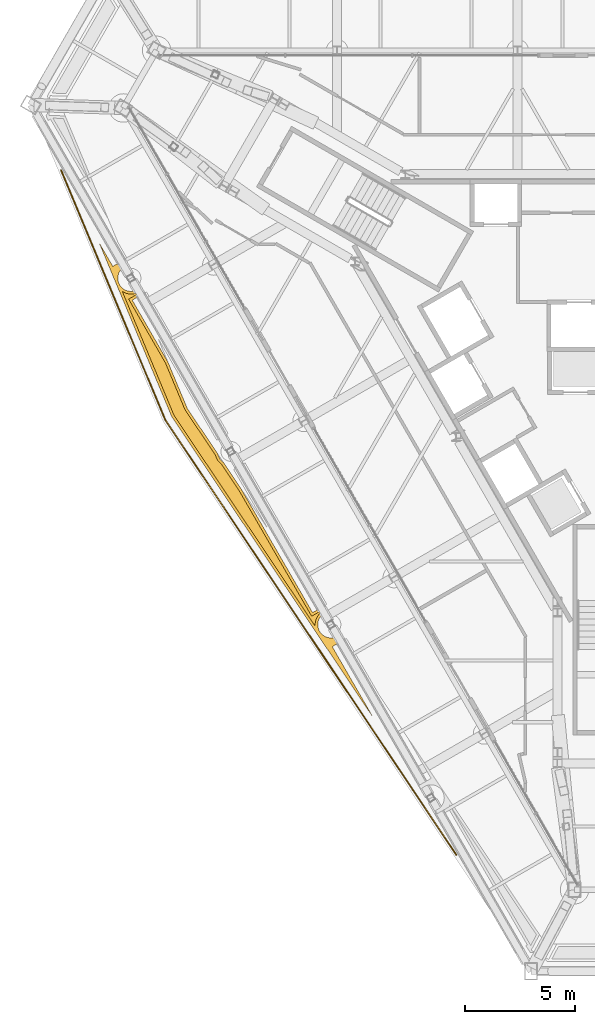
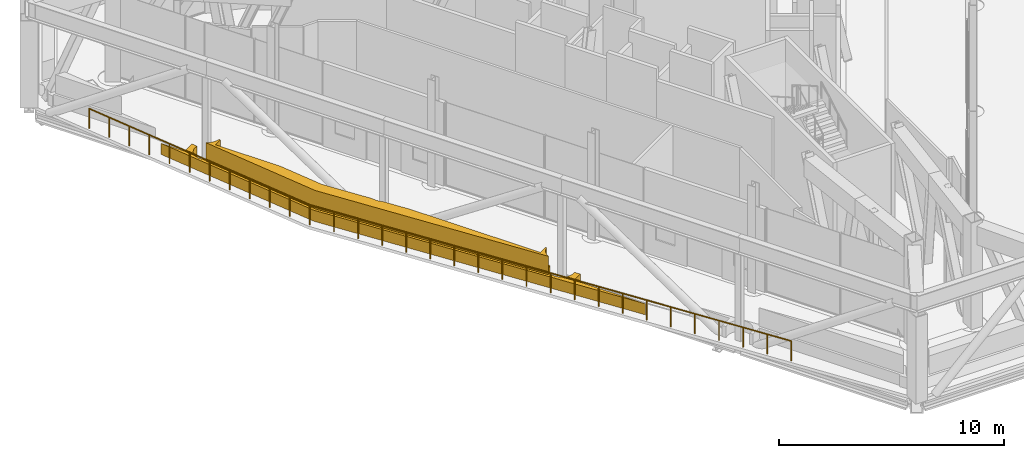
# One storey, part 20 of 25: 2 coverings, 1 railing.
"""IFC4 building model written with IfcOpenShell, lengths in metres."""

from ifc_helpers import new_model, si_unit, direction, frame, origin, origin_2d, place, context, subcontext, project, spatial, polyline, circle, outline, extrude, material, type_object, element, save


model = new_model("IFC4")

# Units and contexts
model_context = context("Model", 3, precision=1e-05, world=origin(), true_north=direction((0.0, 1.0)))
body_context = subcontext(model_context, "Body", "Model", "MODEL_VIEW")
ifc_project = project(units=[si_unit("LENGTHUNIT", "METRE"), si_unit("AREAUNIT", "SQUARE_METRE"), si_unit("VOLUMEUNIT", "CUBIC_METRE"), si_unit("PLANEANGLEUNIT", "RADIAN"), si_unit("MASSUNIT", "GRAM", prefix="KILO")], contexts=[model_context])

# Site, building, storey
site_placement = place(None, origin())
site = spatial("IfcSite", under=ifc_project, at=site_placement, CompositionType="ELEMENT")
building_placement = place(site_placement, origin())
building = spatial("IfcBuilding", under=site, at=building_placement, Name="Verrane Prism Tower", CompositionType="ELEMENT")
storey_placement = place(building_placement, frame((0.0, 0.0, 258.199951171875)))
storey = spatial("IfcBuildingStorey", under=building, at=storey_placement, Name="L65", CompositionType="ELEMENT", Elevation=258.199951171875)

# Coverings
ifc_material_1 = material(Name="Planting medium in stone kerb", Category="masonry")
covering_type_1 = type_object("IfcCoveringType", Name="Planter bed 600", PredefinedType="USERDEFINED", material=ifc_material_1)
covering_1_placement = place(storey_placement, origin())
element("IfcCovering", 1, at=covering_1_placement, inside=storey, type_object=covering_type_1, Name="Planter bed L65 9", ObjectType="PLANTER", PredefinedType="USERDEFINED", context=body_context, shape_type="SweptSolid", body=[
    extrude(outline(polyline([(-10.7548828125, -16.7490234375), (-10.747802734375, -16.74462890625), (-12.580810546875, -13.572265625), (-12.103271484375, -13.29638671875), (-12.271240234375, -13.04541015625), (-12.305419921875, -13.07080078125), (-12.35595703125, -13.101318359375), (-12.409423828125, -13.12646484375), (-12.465087890625, -13.146484375), (-12.5224609375, -13.160888671875), (-12.5810546875, -13.16943359375), (-12.639892578125, -13.17236328125), (-12.698974609375, -13.16943359375), (-12.757568359375, -13.160888671875), (-12.81494140625, -13.146484375), (-12.87060546875, -13.12646484375), (-12.924072265625, -13.101318359375), (-12.974609375, -13.07080078125), (-13.022216796875, -13.03564453125), (-13.06591796875, -12.99609375), (-13.105712890625, -12.9521484375), (-13.140869140625, -12.90478515625), (-13.17138671875, -12.85400390625), (-13.196533203125, -12.800537109375), (-13.216552734375, -12.744873046875), (-13.230712890625, -12.6875), (-13.239501953125, -12.62890625), (-13.242431640625, -12.570068359375), (-13.239501953125, -12.510986328125), (-13.230712890625, -12.452392578125), (-13.216552734375, -12.39501953125), (-13.196533203125, -12.339599609375), (-13.17138671875, -12.285888671875), (-13.140869140625, -12.2353515625), (-13.105712890625, -12.187744140625), (-13.06591796875, -12.14404296875), (-13.022216796875, -12.104248046875), (-12.974609375, -12.069091796875), (-12.93896484375, -12.0478515625), (-13.103759765625, -11.801513671875), (-13.478515625, -12.01806640625), (-16.7568359375, -6.34375), (-17.552490234375, -5.155029296875), (-17.59228515625, -5.125732421875), (-17.635986328125, -5.0859375), (-17.67578125, -5.042236328125), (-17.7109375, -4.99462890625), (-17.7412109375, -4.944091796875), (-17.7666015625, -4.890380859375), (-17.78662109375, -4.8349609375), (-17.798095703125, -4.7880859375), (-19.200927734375, -2.692138671875), (-20.086669921875, -0.57080078125), (-21.7119140625, 2.248046875), (-21.3505859375, 2.456298828125), (-21.46533203125, 2.731201171875), (-21.486083984375, 2.71875), (-21.53955078125, 2.693603515625), (-21.59521484375, 2.673583984375), (-21.652587890625, 2.6591796875), (-21.7109375, 2.650390625), (-21.77001953125, 2.647705078125), (-21.8291015625, 2.650390625), (-21.887451171875, 2.6591796875), (-21.94482421875, 2.673583984375), (-22.00048828125, 2.693603515625), (-22.053955078125, 2.71875), (-22.104736328125, 2.7490234375), (-22.152099609375, 2.7841796875), (-22.196044921875, 2.823974609375), (-22.235595703125, 2.867919921875), (-22.27099609375, 2.915283203125), (-22.30126953125, 2.966064453125), (-22.326416015625, 3.01953125), (-22.346435546875, 3.0751953125), (-22.36083984375, 3.132568359375), (-22.369384765625, 3.19091796875), (-22.372314453125, 3.25), (-22.369384765625, 3.30908203125), (-22.36083984375, 3.367431640625), (-22.346435546875, 3.4248046875), (-22.326416015625, 3.48046875), (-22.30126953125, 3.533935546875), (-22.27099609375, 3.584716796875), (-22.235595703125, 3.632080078125), (-22.196044921875, 3.676025390625), (-22.152099609375, 3.7158203125), (-22.104736328125, 3.7509765625), (-22.053955078125, 3.78125), (-22.00048828125, 3.806396484375), (-21.94482421875, 3.826416015625), (-21.9248046875, 3.83154296875), (-22.041748046875, 4.111572265625), (-22.600830078125, 3.78857421875), (-23.197998046875, 4.822021484375), (-23.2041015625, 4.81884765625), (-19.9091796875, -3.072265625), (-10.7548828125, -16.7490234375)])), origin(), (0.0, 0.0, 1.0), 0.60009765625),
])
ifc_material_2 = material(Name="Planted shrubs and grasses", Category="other")
covering_type_2 = type_object("IfcCoveringType", Name="Planting mass 1000", PredefinedType="USERDEFINED", material=ifc_material_2)
covering_2_placement = place(storey_placement, frame((0.0, 0.0, 0.60009765625)))
element("IfcCovering", 2, at=covering_2_placement, inside=storey, type_object=covering_type_2, Name="Planting L65 9", ObjectType="PLANTING", PredefinedType="USERDEFINED", context=body_context, shape_type="SweptSolid", body=[
    extrude(outline(polyline([(-19.802978515625, -3.015380859375), (-13.358642578125, -12.643310546875), (-13.359130859375, -12.640869140625), (-13.362548828125, -12.570068359375), (-13.359130859375, -12.499267578125), (-13.3486328125, -12.428955078125), (-13.331298828125, -12.3603515625), (-13.3076171875, -12.29345703125), (-13.277099609375, -12.2294921875), (-13.24072265625, -12.168701171875), (-13.198486328125, -12.111572265625), (-13.15087890625, -12.05908203125), (-13.104248046875, -12.0166015625), (-13.14111328125, -11.961669921875), (-13.5224609375, -12.181884765625), (-16.85888671875, -6.4072265625), (-17.640625, -5.239013671875), (-17.66845703125, -5.218505859375), (-17.720947265625, -5.1708984375), (-17.7685546875, -5.118408203125), (-17.810791015625, -5.061279296875), (-17.84716796875, -5.00048828125), (-17.87744140625, -4.9365234375), (-17.9013671875, -4.86962890625), (-17.909423828125, -4.83740234375), (-19.307373046875, -2.749267578125), (-20.194580078125, -0.6240234375), (-21.875732421875, 2.2919921875), (-21.501953125, 2.507568359375), (-21.528076171875, 2.570068359375), (-21.560302734375, 2.55859375), (-21.62890625, 2.541259765625), (-21.69921875, 2.531005859375), (-21.77001953125, 2.527587890625), (-21.8408203125, 2.531005859375), (-21.910888671875, 2.541259765625), (-21.979736328125, 2.55859375), (-22.04638671875, 2.58251953125), (-22.110595703125, 2.61279296875), (-22.1669921875, 2.646484375), (-19.802978515625, -3.015380859375)])), origin(), (0.0, 0.0, 1.0), 1.0),
])

# Railing
ifc_material_3 = material(Name="Stainless steel and laminated glass", Category="steel")
railing_type = type_object("IfcRailingType", Name="Terrace guard 1100", PredefinedType="GUARDRAIL", material=ifc_material_3)
railing_placement = place(storey_placement, frame((-24.965087890625, 8.180908203125, 0.0)))
element("IfcRailing", 3, at=railing_placement, inside=storey, type_object=railing_type, Name="Terrace guard L65 2", PredefinedType="GUARDRAIL", context=body_context, shape_type="SweptSolid", body=[
    extrude(circle(Radius=0.02392578125, at=origin_2d()), frame((0.0, 0.0, 1.076171875), z_axis=(0.385265824932, -0.92280563725, 0.0), x_axis=(0.92280563725, 0.385265824932, 0.0)), (0.0, 0.0, 1.0), 12.36474609375),
    extrude(circle(Radius=0.02392578125, at=origin_2d()), frame((4.763671875, -11.41015625, 1.076171875), z_axis=(0.556239251929, -0.831022198628, 0.0), x_axis=(0.831022198628, 0.556239251929, 0.0)), (0.0, 0.0, 1.0), 23.8896484375),
    extrude(circle(Radius=0.02099609375, at=origin_2d()), origin(), (0.0, 0.0, 1.0), 1.052001953125),
    extrude(circle(Radius=0.02099609375, at=origin_2d()), frame((0.43310546875, -1.037353515625, 0.0)), (0.0, 0.0, 1.0), 1.052001953125),
    extrude(circle(Radius=0.02099609375, at=origin_2d()), frame((0.8662109375, -2.074462890625, 0.0)), (0.0, 0.0, 1.0), 1.052001953125),
    extrude(circle(Radius=0.02099609375, at=origin_2d()), frame((1.299072265625, -3.11181640625, 0.0)), (0.0, 0.0, 1.0), 1.052001953125),
    extrude(circle(Radius=0.02099609375, at=origin_2d()), frame((1.732177734375, -4.149169921875, 0.0)), (0.0, 0.0, 1.0), 1.052001953125),
    extrude(circle(Radius=0.02099609375, at=origin_2d()), frame((2.165283203125, -5.1865234375, 0.0)), (0.0, 0.0, 1.0), 1.052001953125),
    extrude(circle(Radius=0.02099609375, at=origin_2d()), frame((2.598388671875, -6.2236328125, 0.0)), (0.0, 0.0, 1.0), 1.052001953125),
    extrude(circle(Radius=0.02099609375, at=origin_2d()), frame((3.031494140625, -7.260986328125, 0.0)), (0.0, 0.0, 1.0), 1.052001953125),
    extrude(circle(Radius=0.02099609375, at=origin_2d()), frame((3.464599609375, -8.29833984375, 0.0)), (0.0, 0.0, 1.0), 1.052001953125),
    extrude(circle(Radius=0.02099609375, at=origin_2d()), frame((3.8974609375, -9.335693359375, 0.0)), (0.0, 0.0, 1.0), 1.052001953125),
    extrude(circle(Radius=0.02099609375, at=origin_2d()), frame((4.33056640625, -10.372802734375, 0.0)), (0.0, 0.0, 1.0), 1.052001953125),
    extrude(circle(Radius=0.02099609375, at=origin_2d()), frame((4.763671875, -11.41015625, 0.0)), (0.0, 0.0, 1.0), 1.052001953125),
    extrude(circle(Radius=0.02099609375, at=origin_2d()), frame((5.427978515625, -12.40283203125, 0.0)), (0.0, 0.0, 1.0), 1.052001953125),
    extrude(circle(Radius=0.02099609375, at=origin_2d()), frame((6.092529296875, -13.3955078125, 0.0)), (0.0, 0.0, 1.0), 1.052001953125),
    extrude(circle(Radius=0.02099609375, at=origin_2d()), frame((6.7568359375, -14.38818359375, 0.0)), (0.0, 0.0, 1.0), 1.052001953125),
    extrude(circle(Radius=0.02099609375, at=origin_2d()), frame((7.42138671875, -15.380615234375, 0.0)), (0.0, 0.0, 1.0), 1.052001953125),
    extrude(circle(Radius=0.02099609375, at=origin_2d()), frame((8.085693359375, -16.373291015625, 0.0)), (0.0, 0.0, 1.0), 1.052001953125),
    extrude(circle(Radius=0.02099609375, at=origin_2d()), frame((8.750244140625, -17.365966796875, 0.0)), (0.0, 0.0, 1.0), 1.052001953125),
    extrude(circle(Radius=0.02099609375, at=origin_2d()), frame((9.41455078125, -18.358642578125, 0.0)), (0.0, 0.0, 1.0), 1.052001953125),
    extrude(circle(Radius=0.02099609375, at=origin_2d()), frame((10.0791015625, -19.351318359375, 0.0)), (0.0, 0.0, 1.0), 1.052001953125),
    extrude(circle(Radius=0.02099609375, at=origin_2d()), frame((10.743408203125, -20.343994140625, 0.0)), (0.0, 0.0, 1.0), 1.052001953125),
    extrude(circle(Radius=0.02099609375, at=origin_2d()), frame((11.40771484375, -21.33642578125, 0.0)), (0.0, 0.0, 1.0), 1.052001953125),
    extrude(circle(Radius=0.02099609375, at=origin_2d()), frame((12.072265625, -22.3291015625, 0.0)), (0.0, 0.0, 1.0), 1.052001953125),
    extrude(circle(Radius=0.02099609375, at=origin_2d()), frame((12.736572265625, -23.32177734375, 0.0)), (0.0, 0.0, 1.0), 1.052001953125),
    extrude(circle(Radius=0.02099609375, at=origin_2d()), frame((13.401123046875, -24.314453125, 0.0)), (0.0, 0.0, 1.0), 1.052001953125),
    extrude(circle(Radius=0.02099609375, at=origin_2d()), frame((14.0654296875, -25.30712890625, 0.0)), (0.0, 0.0, 1.0), 1.052001953125),
    extrude(circle(Radius=0.02099609375, at=origin_2d()), frame((14.72998046875, -26.2998046875, 0.0)), (0.0, 0.0, 1.0), 1.052001953125),
    extrude(circle(Radius=0.02099609375, at=origin_2d()), frame((15.394287109375, -27.29248046875, 0.0)), (0.0, 0.0, 1.0), 1.052001953125),
    extrude(circle(Radius=0.02099609375, at=origin_2d()), frame((16.058837890625, -28.284912109375, 0.0)), (0.0, 0.0, 1.0), 1.052001953125),
    extrude(circle(Radius=0.02099609375, at=origin_2d()), frame((16.72314453125, -29.277587890625, 0.0)), (0.0, 0.0, 1.0), 1.052001953125),
    extrude(circle(Radius=0.02099609375, at=origin_2d()), frame((17.3876953125, -30.270263671875, 0.0)), (0.0, 0.0, 1.0), 1.052001953125),
    extrude(circle(Radius=0.02099609375, at=origin_2d()), frame((18.052001953125, -31.262939453125, 0.0)), (0.0, 0.0, 1.0), 1.052001953125),
])

save(model, "model.ifc")
